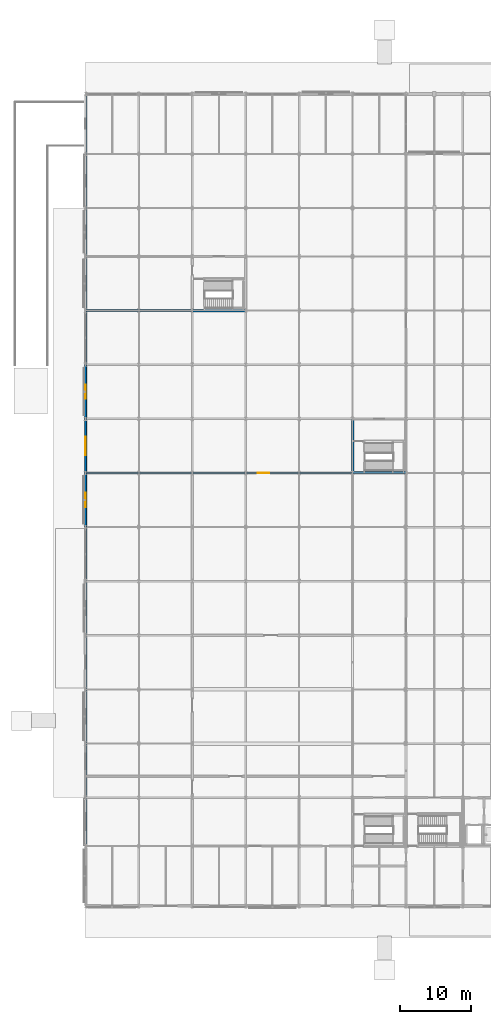
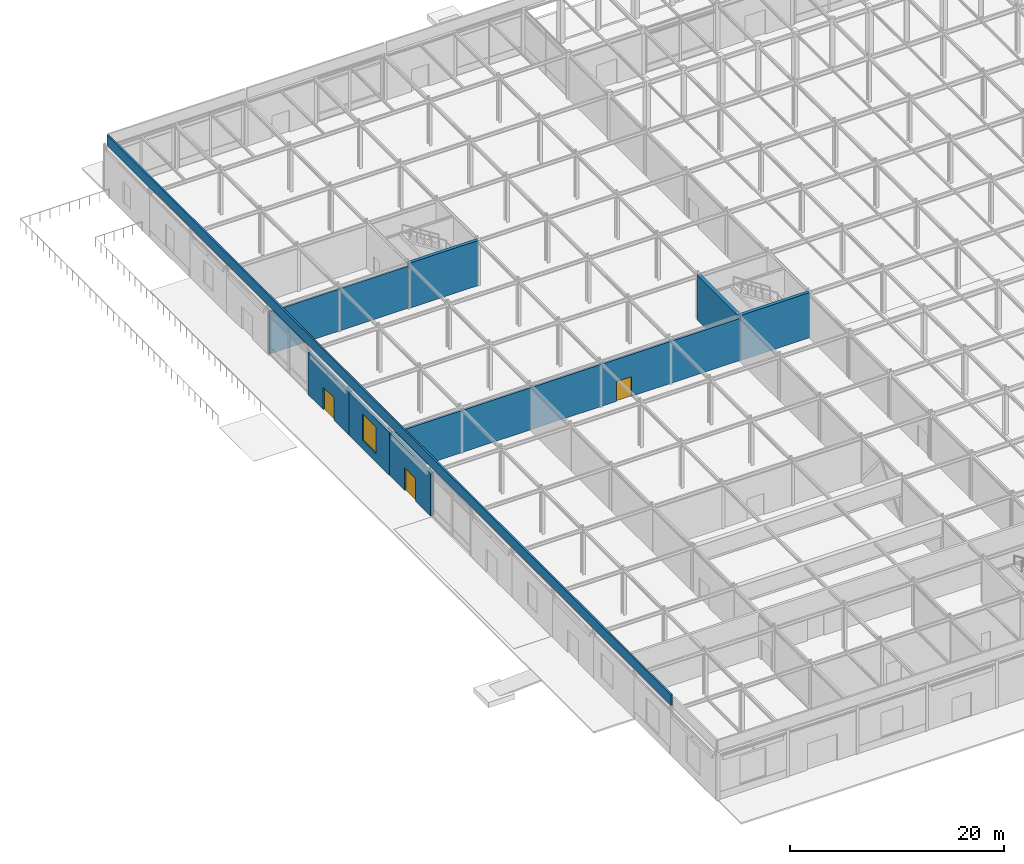
# One storey, part 66 of 89: 9 walls, 3 doors, 1 window, 4 openings.
"""IFC4 building model written with IfcOpenShell, lengths in metres."""

from ifc_helpers import new_model, si_unit, direction, frame, frame_2d, origin, place, context, subcontext, project, spatial, rectangle, extrude, material, layer, layer_set, type_object, element, fill, save


model = new_model("IFC4")

# Units and contexts
model_context = context("Model", 3, precision=1e-05, world=origin(), true_north=direction((0.0, 1.0)))
body_context = subcontext(model_context, "Body", "Model", "MODEL_VIEW")
ifc_project = project(units=[si_unit("LENGTHUNIT", "METRE"), si_unit("AREAUNIT", "SQUARE_METRE"), si_unit("VOLUMEUNIT", "CUBIC_METRE"), si_unit("PLANEANGLEUNIT", "RADIAN"), si_unit("MASSUNIT", "GRAM", prefix="KILO")], contexts=[model_context])

# Site, building, storey
site_placement = place(None, origin())
site = spatial("IfcSite", under=ifc_project, at=site_placement, CompositionType="ELEMENT")
building_placement = place(site_placement, origin())
building = spatial("IfcBuilding", under=site, at=building_placement, Name="Shalkamar Park Central Library", CompositionType="ELEMENT")
storey_placement = place(building_placement, origin())
storey = spatial("IfcBuildingStorey", under=building, at=storey_placement, Name="L01", CompositionType="ELEMENT", Elevation=0.0)

# Wall, opening, door
ifc_material_1 = material(Name="Double-stud acoustic masonry wall", Category="masonry")
ifc_layer_1 = layer(ifc_material_1, 0.260009765625)
ifc_layer_set_1 = layer_set([ifc_layer_1], Name="AuditoriumAcousticWall_260")
wall_type_1 = type_object("IfcWallType", Name="Auditorium Acoustic Wall 260", PredefinedType="PARTITIONING", material=ifc_layer_set_1)
wall_1_placement = place(storey_placement, frame((120.0, 300.800048828125, 0.0), z_axis=(0.0, 0.0, 1.0), x_axis=(1.0, 0.0, 0.0)))
wall_1 = element("IfcWall", 1, at=wall_1_placement, inside=storey, type_object=wall_type_1, Name="Interior Partition WL-INT-L01-039", PredefinedType="PARTITIONING", context=body_context, shape_type="SweptSolid", body=[
    extrude(rectangle(XDim=37.5, YDim=0.260009765625, at=frame_2d((18.75, 0.0))), origin(), (0.0, 0.0, 1.0), 4.7880859375),
])
opening_1_placement = place(wall_1_placement, frame((24.199951171875, 0.0, 0.0)))
opening_1 = element("IfcOpeningElement", 2, at=opening_1_placement, cuts=wall_1, Name="Opening DR-L01-031", PredefinedType="OPENING", context=body_context, shape_type="SweptSolid", body=[
    extrude(rectangle(XDim=1.60009765625, YDim=2.25, at=frame_2d((0.800048828125, 1.125))), frame((0.0, 0.14501953125, 0.0), z_axis=(0.0, -1.0, 0.0), x_axis=(1.0, 0.0, 0.0)), (0.0, 0.0, 1.0), 0.289794921875),
])
ifc_material_2 = material(Name="Steel S355", Category="steel")
door_type_1 = type_object("IfcDoorType", Name="Interior Door Double 1600x2250", OperationType="DOUBLE_DOOR_SINGLE_SWING", PredefinedType="DOOR", material=ifc_material_2)
door_1_placement = place(opening_1_placement, frame((1.60009765625, 0.0, 0.0), z_axis=(0.0, 0.0, 1.0), x_axis=(-1.0, 0.0, 0.0)))
door_1 = element("IfcDoor", 3, at=door_1_placement, inside=storey, type_object=door_type_1, Name="Children's Reading Room South Door", OperationType="DOUBLE_DOOR_SINGLE_SWING", OverallHeight=2.25, OverallWidth=1.60009765625, PredefinedType="DOOR", context=body_context, shape_type="SweptSolid", body=[
    extrude(rectangle(XDim=1.60009765625, YDim=2.25, at=frame_2d((0.800048828125, 1.125))), frame((0.0, 0.02490234375, 0.0), z_axis=(0.0, -1.0, 0.0), x_axis=(1.0, 0.0, 0.0)), (0.0, 0.0, 1.0), 0.050048828125),
])
fill(opening_1, door_1)

# Wall
ifc_material_3 = material(Name="Fire-rated corridor partition wall", Category="masonry")
ifc_layer_2 = layer(ifc_material_3, 0.199951171875)
ifc_layer_set_2 = layer_set([ifc_layer_2], Name="CorridorFireWall_200")
wall_type_2 = type_object("IfcWallType", Name="Corridor Fire Wall 200", PredefinedType="PARTITIONING", material=ifc_layer_set_2)
wall_2_placement = place(storey_placement, frame((120.0, 323.60009765625, 0.0), z_axis=(0.0, 0.0, 1.0), x_axis=(1.0, 0.0, 0.0)))
element("IfcWall", 4, at=wall_2_placement, inside=storey, type_object=wall_type_2, Name="Interior Partition WL-INT-L01-042", PredefinedType="PARTITIONING", context=body_context, shape_type="SweptSolid", body=[
    extrude(rectangle(XDim=15.0, YDim=0.199951171875, at=frame_2d((7.5, 0.0))), origin(), (0.0, 0.0, 1.0), 4.7880859375),
])

# Wall, opening, door
ifc_material_4 = material(Name="Concrete C35/45 precast", Category="concrete")
ifc_layer_3 = layer(ifc_material_4, 0.320068359375)
ifc_layer_set_3 = layer_set([ifc_layer_3], Name="Concrete C35/45 precast")
wall_type_3 = type_object("IfcWallType", Name="Granite Plinth External Wall 320", PredefinedType="SOLIDWALL", material=ifc_layer_set_3)
wall_3_placement = place(storey_placement, frame((120.0, 293.2060546875, 0.0), z_axis=(0.0, 0.0, 1.0), x_axis=(0.0, 1.0, 0.0)))
wall_3 = element("IfcWall", 5, at=wall_3_placement, inside=storey, type_object=wall_type_3, Name="Exterior Facade Wall WL-EXT-L01-035", PredefinedType="SOLIDWALL", context=body_context, shape_type="SweptSolid", body=[
    extrude(rectangle(XDim=7.587890625, YDim=0.320068359375, at=frame_2d((3.7939453125, 0.0))), origin(), (0.0, 0.0, 1.0), 4.8779296875),
])
opening_2_placement = place(wall_3_placement, frame((2.7939453125, 0.0, 0.0)))
opening_2 = element("IfcOpeningElement", 6, at=opening_2_placement, cuts=wall_3, Name="Opening ED-L01-026", PredefinedType="OPENING", context=body_context, shape_type="SweptSolid", body=[
    extrude(rectangle(XDim=2.0, YDim=2.550048828125, at=frame_2d((1.0, 1.27490234375))), frame((0.0, 0.1748046875, 0.0), z_axis=(0.0, -1.0, 0.0), x_axis=(1.0, 0.0, 0.0)), (0.0, 0.0, 1.0), 0.349853515625),
])
ifc_material_5 = material(Name="Thermally broken insulated aluminium and glazed door", Category="aluminium")
door_type_2 = type_object("IfcDoorType", Name="Plaza Exit Portal 2000x2550", OperationType="DOUBLE_DOOR_SINGLE_SWING", PredefinedType="DOOR", material=ifc_material_5)
door_2_placement = place(opening_2_placement, origin())
door_2 = element("IfcDoor", 7, at=door_2_placement, inside=storey, type_object=door_type_2, Name="West Park Lane Exit Portal H", OperationType="DOUBLE_DOOR_SINGLE_SWING", OverallHeight=2.550048828125, OverallWidth=2.0, PredefinedType="DOOR", context=body_context, shape_type="SweptSolid", body=[
    extrude(rectangle(XDim=2.0, YDim=2.550048828125, at=frame_2d((1.0, 1.27490234375))), frame((0.0, 0.02490234375, 0.0), z_axis=(0.0, -1.0, 0.0), x_axis=(1.0, 0.0, 0.0)), (0.0, 0.0, 1.0), 0.050048828125),
])
fill(opening_2, door_2)

# Wall, opening, window
wall_4_placement = place(storey_placement, frame((120.0, 300.805908203125, 0.0), z_axis=(0.0, 0.0, 1.0), x_axis=(0.0, 1.0, 0.0)))
wall_4 = element("IfcWall", 8, at=wall_4_placement, inside=storey, type_object=wall_type_3, Name="Exterior Facade Wall WL-EXT-L01-036", PredefinedType="SOLIDWALL", context=body_context, shape_type="SweptSolid", body=[
    extrude(rectangle(XDim=7.588134765625, YDim=0.320068359375, at=frame_2d((3.7939453125, 0.0))), origin(), (0.0, 0.0, 1.0), 4.8779296875),
])
opening_3_placement = place(wall_4_placement, frame((2.493896484375, 0.0, 0.949951171875)))
opening_3 = element("IfcOpeningElement", 9, at=opening_3_placement, cuts=wall_4, Name="Opening WN-02", PredefinedType="OPENING", context=body_context, shape_type="SweptSolid", body=[
    extrude(rectangle(XDim=2.60009765625, YDim=3.0, at=frame_2d((1.300048828125, 1.5))), frame((0.0, 0.1748046875, 0.0), z_axis=(0.0, -1.0, 0.0), x_axis=(1.0, 0.0, 0.0)), (0.0, 0.0, 1.0), 0.349853515625),
])
ifc_material_6 = material(Name="Thermally broken aluminium and triple low-e glass", Category="glass")
window_type = type_object("IfcWindowType", Name="Podium Window 2600x3000", PartitioningType="DOUBLE_PANEL_VERTICAL", PredefinedType="WINDOW", material=ifc_material_6)
window_placement = place(opening_3_placement, origin())
window = element("IfcWindow", 10, at=window_placement, inside=storey, type_object=window_type, Name="Facade Window WN-L01-010", OverallHeight=3.0, OverallWidth=2.60009765625, PartitioningType="DOUBLE_PANEL_VERTICAL", PredefinedType="WINDOW", context=body_context, shape_type="SweptSolid", body=[
    extrude(rectangle(XDim=2.60009765625, YDim=3.0, at=frame_2d((1.300048828125, 1.5))), frame((0.0, 0.030029296875, 0.0), z_axis=(0.0, -1.0, 0.0), x_axis=(1.0, 0.0, 0.0)), (0.0, 0.0, 1.0), 0.06005859375),
])
fill(opening_3, window)

# Wall, opening, door
wall_5_placement = place(storey_placement, frame((120.0, 308.406005859375, 0.0), z_axis=(0.0, 0.0, 1.0), x_axis=(0.0, 1.0, 0.0)))
wall_5 = element("IfcWall", 11, at=wall_5_placement, inside=storey, type_object=wall_type_3, Name="Exterior Facade Wall WL-EXT-L01-037", PredefinedType="SOLIDWALL", context=body_context, shape_type="SweptSolid", body=[
    extrude(rectangle(XDim=7.587890625, YDim=0.320068359375, at=frame_2d((3.7939453125, 0.0))), origin(), (0.0, 0.0, 1.0), 4.8779296875),
])
opening_4_placement = place(wall_5_placement, frame((2.7939453125, 0.0, 0.0)))
opening_4 = element("IfcOpeningElement", 12, at=opening_4_placement, cuts=wall_5, Name="Opening ED-L01-027", PredefinedType="OPENING", context=body_context, shape_type="SweptSolid", body=[
    extrude(rectangle(XDim=2.0, YDim=2.550048828125, at=frame_2d((1.0, 1.27490234375))), frame((0.0, 0.1748046875, 0.0), z_axis=(0.0, -1.0, 0.0), x_axis=(1.0, 0.0, 0.0)), (0.0, 0.0, 1.0), 0.349853515625),
])
door_3_placement = place(opening_4_placement, origin())
door_3 = element("IfcDoor", 13, at=door_3_placement, inside=storey, type_object=door_type_2, Name="West Park Lane Exit Portal K", OperationType="DOUBLE_DOOR_SINGLE_SWING", OverallHeight=2.550048828125, OverallWidth=2.0, PredefinedType="DOOR", context=body_context, shape_type="SweptSolid", body=[
    extrude(rectangle(XDim=2.0, YDim=2.550048828125, at=frame_2d((1.0, 1.27490234375))), frame((0.0, 0.02490234375, 0.0), z_axis=(0.0, -1.0, 0.0), x_axis=(1.0, 0.0, 0.0)), (0.0, 0.0, 1.0), 0.050048828125),
])
fill(opening_4, door_3)

# Walls
ifc_material_7 = material(Name="Concrete C40/50", Category="concrete")
ifc_layer_4 = layer(ifc_material_7, 0.35009765625)
ifc_layer_set_4 = layer_set([ifc_layer_4], Name="Concrete C40/50")
wall_type_4 = type_object("IfcWallType", Name="Podium Core Shear Wall 350", PredefinedType="SHEAR", material=ifc_layer_set_4)
wall_6_placement = place(storey_placement, frame((157.5, 300.800048828125, 0.0), z_axis=(0.0, 0.0, 1.0), x_axis=(1.0, 0.0, 0.0)))
element("IfcWall", 14, at=wall_6_placement, inside=storey, type_object=wall_type_4, Name="CORE-P2 South Shear Wall (L01)", PredefinedType="SHEAR", context=body_context, shape_type="SweptSolid", body=[
    extrude(rectangle(XDim=7.5, YDim=0.35009765625, at=frame_2d((3.75, 0.0))), origin(), (0.0, 0.0, 1.0), 5.139892578125),
])
wall_7_placement = place(storey_placement, frame((157.5, 300.800048828125, 0.0), z_axis=(0.0, 0.0, 1.0), x_axis=(0.0, 1.0, 0.0)))
element("IfcWall", 15, at=wall_7_placement, inside=storey, type_object=wall_type_4, Name="CORE-P2 West Shear Wall (L01)", PredefinedType="SHEAR", context=body_context, shape_type="SweptSolid", body=[
    extrude(rectangle(XDim=7.599853515625, YDim=0.35009765625, at=frame_2d((3.7998046875, 0.0))), origin(), (0.0, 0.0, 1.0), 5.139892578125),
])
wall_8_placement = place(storey_placement, frame((135.0, 323.60009765625, 0.0), z_axis=(0.0, 0.0, 1.0), x_axis=(1.0, 0.0, 0.0)))
element("IfcWall", 16, at=wall_8_placement, inside=storey, type_object=wall_type_4, Name="CORE-P5 South Shear Wall (L01)", PredefinedType="SHEAR", context=body_context, shape_type="SweptSolid", body=[
    extrude(rectangle(XDim=7.5, YDim=0.35009765625, at=frame_2d((3.75, 0.0))), origin(), (0.0, 0.0, 1.0), 5.139892578125),
])
ifc_layer_5 = layer(ifc_material_4, 0.179931640625)
ifc_layer_set_5 = layer_set([ifc_layer_5], Name="Concrete C35/45 precast")
wall_type_5 = type_object("IfcWallType", Name="Roof Parapet Wall 180", PredefinedType="PARAPET", material=ifc_layer_set_5)
wall_9_placement = place(storey_placement, frame((120.10009765625, 248.60009765625, 5.39990234375), z_axis=(0.0, 0.0, 1.0), x_axis=(0.0, 1.0, 0.0)))
element("IfcWall", 17, at=wall_9_placement, inside=storey, type_object=wall_type_5, Name="Roof Parapet Wall L01-05", PredefinedType="PARAPET", context=body_context, shape_type="SweptSolid", body=[
    extrude(rectangle(XDim=105.199951171875, YDim=0.179931640625, at=frame_2d((52.60009765625, 0.0))), origin(), (0.0, 0.0, 1.0), 1.2001953125),
])

save(model, "model.ifc")
